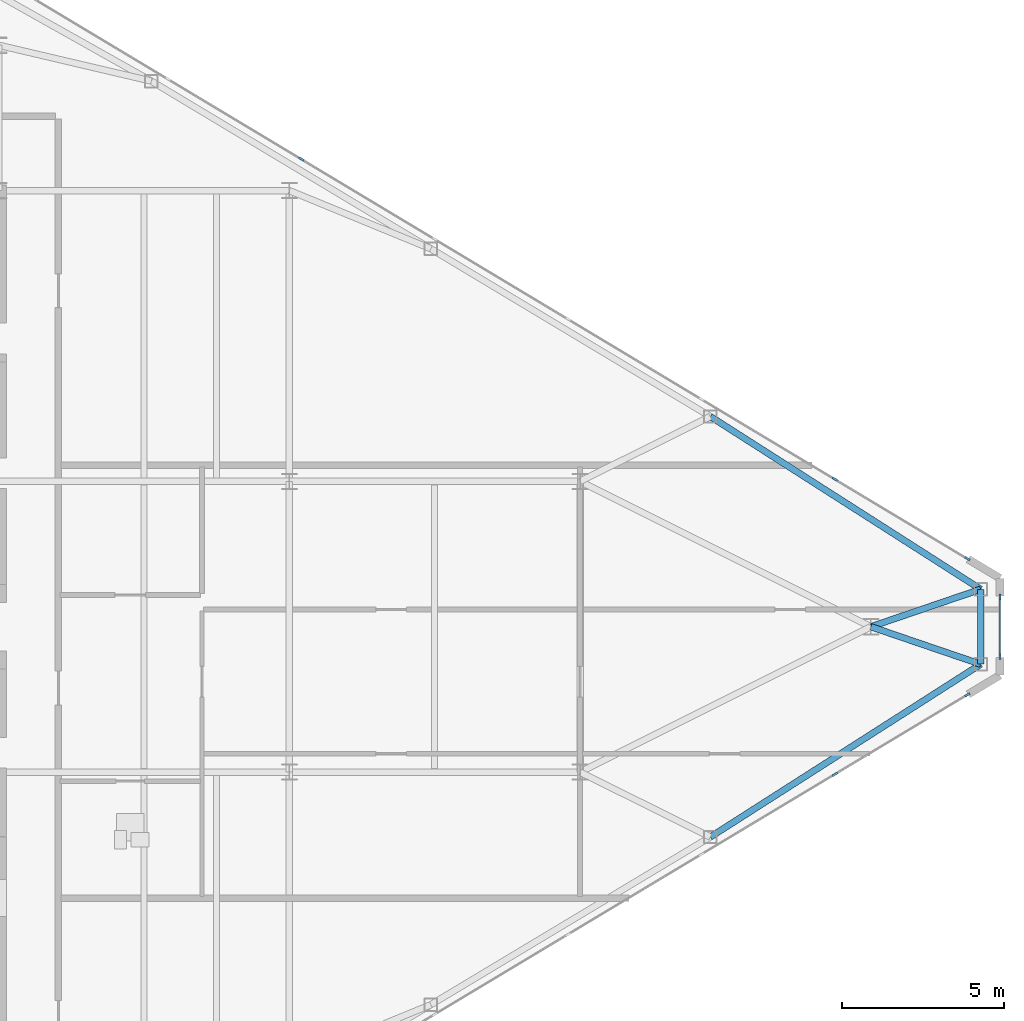
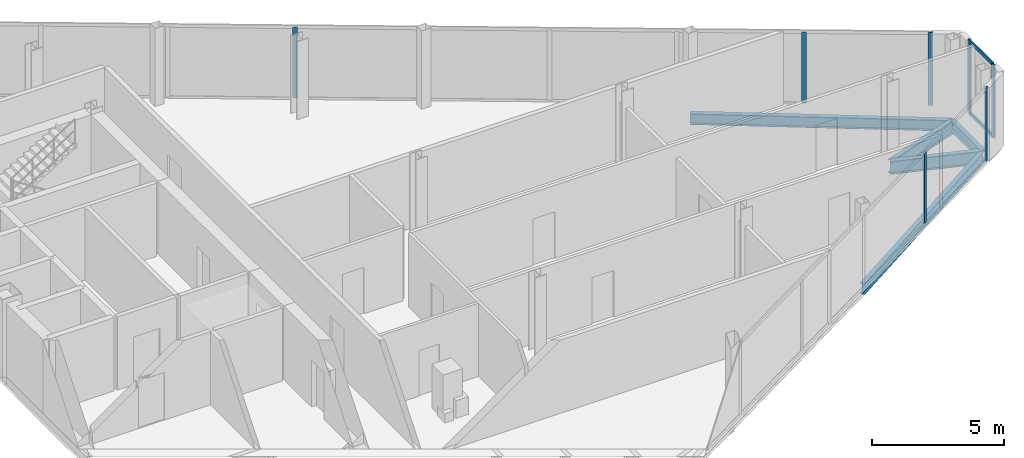
# One storey, part 17 of 25: 9 members, 5 beams, 3 elements without a shape of their own.
"""IFC4 building model written with IfcOpenShell, lengths in metres."""

from ifc_helpers import new_model, si_unit, direction, frame, origin, origin_2d, place, context, subcontext, project, spatial, rectangle, i_section, extrude, source, transform, mapped, material, layer, layer_set, material_profile, profile_set, type_object, type_shapes, element, aggregate, save


model = new_model("IFC4")

# Units and contexts
model_context = context("Model", 3, precision=1e-05, world=origin(), true_north=direction((0.0, 1.0)))
body_context = subcontext(model_context, "Body", "Model", "MODEL_VIEW")
ifc_project = project(units=[si_unit("LENGTHUNIT", "METRE"), si_unit("AREAUNIT", "SQUARE_METRE"), si_unit("VOLUMEUNIT", "CUBIC_METRE"), si_unit("PLANEANGLEUNIT", "RADIAN"), si_unit("MASSUNIT", "GRAM", prefix="KILO")], contexts=[model_context])

# Site, building, storey
site_placement = place(None, origin())
site = spatial("IfcSite", under=ifc_project, at=site_placement, CompositionType="ELEMENT")
building_placement = place(site_placement, origin())
building = spatial("IfcBuilding", under=site, at=building_placement, Name="Seokmaru Belvedere", CompositionType="ELEMENT")
storey_placement = place(building_placement, frame((0.0, 0.0, 213.89990234375)))
storey = spatial("IfcBuildingStorey", under=building, at=storey_placement, Name="L57", CompositionType="ELEMENT", Elevation=213.89990234375)

# Beams
ifc_material_1 = material(Name="Steel SM355 (355 MPa)", Category="steel")
ifc_material_profile_1 = material_profile(ifc_material_1, i_section(OverallWidth=0.199951171875, OverallDepth=0.5, WebThickness=0.010009765625, FlangeThickness=0.01611328125, at=origin_2d()), Name="H-500x200x10x16")
ifc_profile_set_1 = profile_set([ifc_material_profile_1], Name="Steel SM355 (355 MPa)")
beam_type_1 = type_object("IfcBeamType", Name="Perimeter Spandrel Beam H-500", PredefinedType="SPANDREL", material=ifc_profile_set_1)
shared_shape_1 = source(origin(), body_context, "Body", "SweptSolid", [
    extrude(i_section(OverallWidth=0.199951171875, OverallDepth=0.5, WebThickness=0.010009765625, FlangeThickness=0.01611328125, at=origin_2d()), origin(), (0.0, 0.0, 1.0), 9.932861328125),
])
for number, where, z_axis, x_axis, name in (
    (1, (58.530029296875, -6.5087890625, -0.469970703125), (0.842651960357, 0.538458609093, 0.0), (-0.538458609093, 0.842651960357, 0.0), "L57 E Faceted Flank Spandrel S-4"),
    (2, (58.530029296875, 6.5087890625, -0.469970703125), (0.842651960357, -0.538458609093, 0.0), (0.538458609093, 0.842651960357, 0.0), "L57 E Faceted Flank Spandrel N-4"),
):
    element("IfcBeam", number, at=place(storey_placement, frame(where, z_axis=z_axis, x_axis=x_axis)), inside=storey, type_object=beam_type_1, Name=name, PredefinedType="SPANDREL", context=body_context, shape_type="MappedRepresentation", body=[
        mapped(shared_shape_1, transform((0.0, 0.0, 0.0), scale=1.0)),
    ])
shared_shape_2 = source(origin(), body_context, "Body", "SweptSolid", [
    extrude(i_section(OverallWidth=0.199951171875, OverallDepth=0.5, WebThickness=0.010009765625, FlangeThickness=0.01611328125, at=origin_2d()), origin(), (0.0, 0.0, 1.0), 2.32080078125),
])
type_shapes(beam_type_1, [shared_shape_1, shared_shape_2])
beam_placement = place(storey_placement, frame((66.89990234375, -1.160400390625, -0.469970703125), z_axis=(0.0, 1.0, 0.0), x_axis=(-1.0, 0.0, 0.0)))
element("IfcBeam", 3, at=beam_placement, inside=storey, type_object=beam_type_1, Name="L57 E Faceted Apex Spandrel", PredefinedType="SPANDREL", context=body_context, shape_type="MappedRepresentation", body=[
    mapped(shared_shape_2, transform((0.0, 0.0, 0.0), scale=1.0)),
])
ifc_material_profile_2 = material_profile(ifc_material_1, i_section(OverallWidth=0.199951171875, OverallDepth=0.60009765625, WebThickness=0.010986328125, FlangeThickness=0.01708984375, at=origin_2d()), Name="H-600x200x11x17")
ifc_profile_set_2 = profile_set([ifc_material_profile_2], Name="Steel SM355 (355 MPa)")
beam_type_2 = type_object("IfcBeamType", Name="Primary Floor Girder H-600", PredefinedType="BEAM", material=ifc_profile_set_2)
shared_shape_3 = source(origin(), body_context, "Body", "SweptSolid", [
    extrude(i_section(OverallWidth=0.199951171875, OverallDepth=0.60009765625, WebThickness=0.010986328125, FlangeThickness=0.01708984375, at=origin_2d()), origin(), (0.0, 0.0, 1.0), 3.592529296875),
])
type_shapes(beam_type_2, [shared_shape_3])
for number, where, z_axis, x_axis, name in (
    (4, (66.89990234375, -1.160400390625, -0.52001953125), (-0.946395973048, 0.323008764893, 0.0), (-0.323008764893, -0.946395973048, 0.0), "L57 E Apex Radial Floor Girder 1"),
    (5, (66.89990234375, 1.160400390625, -0.52001953125), (-0.946395973048, -0.323008764893, 0.0), (0.323008764893, -0.946395973048, 0.0), "L57 E Apex Radial Floor Girder 2"),
):
    element("IfcBeam", number, at=place(storey_placement, frame(where, z_axis=z_axis, x_axis=x_axis)), inside=storey, type_object=beam_type_2, Name=name, PredefinedType="BEAM", context=body_context, shape_type="MappedRepresentation", body=[
        mapped(shared_shape_3, transform((0.0, 0.0, 0.0), scale=1.0)),
    ])

# Curtain wall, member
ifc_material_2 = material(Name="Bronze Triple Insulating Glass", Category="glass")
ifc_layer = layer(ifc_material_2, 0.179931640625)
ifc_layer_set = layer_set([ifc_layer], Name="Bronze Triple Insulating Glass")
curtain_wall_type = type_object("IfcCurtainWallType", Name="High-Rise Wind-Corner Curtain Wall System CW-5", PredefinedType="NOTDEFINED", material=ifc_layer_set)
curtain_wall_1_placement = place(storey_placement, origin())
curtain_wall_1 = element("IfcCurtainWall", 6, at=curtain_wall_1_placement, inside=storey, type_object=curtain_wall_type, Name="L57 Curtain Wall EF1", PredefinedType="NOTDEFINED")
ifc_material_3 = material(Name="Anodised Bronze Aluminium", Category="aluminium")
ifc_material_profile_3 = material_profile(ifc_material_3, rectangle(XDim=0.06494140625, YDim=0.179931640625, at=origin_2d()), Name="CW-M-65x180")
ifc_profile_set_3 = profile_set([ifc_material_profile_3], Name="Anodised Bronze Aluminium")
member_type_1 = type_object("IfcMemberType", Name="Bronze Unitised Mullion 65x180", PredefinedType="MULLION", material=ifc_profile_set_3)
shared_shape_4 = source(origin(), body_context, "Body", "SweptSolid", [
    extrude(rectangle(XDim=0.06494140625, YDim=0.179931640625, at=origin_2d()), origin(), (0.0, 0.0, 1.0), 3.25),
])
member_1_placement = place(storey_placement, frame((62.385498046875, -4.56884765625, 0.065185546875), z_axis=(0.0, 0.0, 1.0), x_axis=(-0.514494909364, 0.85749343335, 0.0)))
member_1 = element("IfcMember", 7, at=member_1_placement, type_object=member_type_1, Name="CW:L57:EF1 Mullion 8", PredefinedType="MULLION", context=body_context, shape_type="MappedRepresentation", body=[
    mapped(shared_shape_4, transform((0.0, 0.0, 0.0), scale=1.0)),
])

# Curtain wall, members
curtain_wall_2_placement = place(storey_placement, origin())
curtain_wall_2 = element("IfcCurtainWall", 8, at=curtain_wall_2_placement, inside=storey, type_object=curtain_wall_type, Name="L57 Curtain Wall EF3", PredefinedType="NOTDEFINED")
member_2_placement = place(storey_placement, frame((62.385498046875, 4.56884765625, 0.065185546875), z_axis=(0.0, 0.0, 1.0), x_axis=(-0.514494909364, -0.85749343335, 0.0)))
member_2 = element("IfcMember", 9, at=member_2_placement, type_object=member_type_1, Name="CW:L57:EF3 Mullion 2", PredefinedType="MULLION", context=body_context, shape_type="MappedRepresentation", body=[
    mapped(shared_shape_4, transform((0.0, 0.0, 0.0), scale=1.0)),
])
member_3_placement = place(storey_placement, frame((45.87158203125, 14.47705078125, 0.065185546875), z_axis=(0.0, 0.0, 1.0), x_axis=(-0.514494909364, -0.85749343335, 0.0)))
member_3 = element("IfcMember", 10, at=member_3_placement, type_object=member_type_1, Name="CW:L57:EF3 Mullion 6", PredefinedType="MULLION", context=body_context, shape_type="MappedRepresentation", body=[
    mapped(shared_shape_4, transform((0.0, 0.0, 0.0), scale=1.0)),
])

# Member
shared_shape_5 = source(origin(), body_context, "Body", "SweptSolid", [
    extrude(rectangle(XDim=0.06494140625, YDim=0.179931640625, at=origin_2d()), origin(), (0.0, 0.0, 1.0), 3.380126953125),
])
type_shapes(member_type_1, [shared_shape_4, shared_shape_5])
member_4_placement = place(storey_placement, frame((66.486083984375, -2.1083984375, 0.0), z_axis=(0.0, 0.0, 1.0), x_axis=(-0.514494909364, 0.85749343335, 0.0)))
member_4 = element("IfcMember", 11, at=member_4_placement, type_object=member_type_1, Name="CW:L57:EF1 Mullion 9", PredefinedType="MULLION", context=body_context, shape_type="MappedRepresentation", body=[
    mapped(shared_shape_5, transform((0.0, 0.0, 0.0), scale=1.0)),
])

aggregate(curtain_wall_1, [member_1, member_4])

# Curtain wall, members
curtain_wall_3_placement = place(storey_placement, origin())
curtain_wall_3 = element("IfcCurtainWall", 12, at=curtain_wall_3_placement, inside=storey, type_object=curtain_wall_type, Name="L57 Curtain Wall EF2", PredefinedType="NOTDEFINED")
member_5_placement = place(storey_placement, frame((67.5, -0.91748046875, 0.0), z_axis=(0.0, 0.0, 1.0), x_axis=(-1.0, 0.0, 0.0)))
member_5 = element("IfcMember", 13, at=member_5_placement, type_object=member_type_1, Name="CW:L57:EF2 Mullion 1", PredefinedType="MULLION", context=body_context, shape_type="MappedRepresentation", body=[
    mapped(shared_shape_5, transform((0.0, 0.0, 0.0), scale=1.0)),
])
member_6_placement = place(storey_placement, frame((67.5, 0.91748046875, 0.0), z_axis=(0.0, 0.0, 1.0), x_axis=(-1.0, 0.0, 0.0)))
member_6 = element("IfcMember", 14, at=member_6_placement, type_object=member_type_1, Name="CW:L57:EF2 Mullion 2", PredefinedType="MULLION", context=body_context, shape_type="MappedRepresentation", body=[
    mapped(shared_shape_5, transform((0.0, 0.0, 0.0), scale=1.0)),
])

# Member
member_7_placement = place(storey_placement, frame((66.486083984375, 2.1083984375, 0.0), z_axis=(0.0, 0.0, 1.0), x_axis=(-0.514494909364, -0.85749343335, 0.0)))
member_7 = element("IfcMember", 15, at=member_7_placement, type_object=member_type_1, Name="CW:L57:EF3 Mullion 1", PredefinedType="MULLION", context=body_context, shape_type="MappedRepresentation", body=[
    mapped(shared_shape_5, transform((0.0, 0.0, 0.0), scale=1.0)),
])

aggregate(curtain_wall_2, [member_7, member_2, member_3])

ifc_material_profile_4 = material_profile(ifc_material_3, rectangle(XDim=0.06494140625, YDim=0.14990234375, at=origin_2d()), Name="CW-T-65x150")
ifc_profile_set_4 = profile_set([ifc_material_profile_4], Name="Anodised Bronze Aluminium")
member_type_2 = type_object("IfcMemberType", Name="Bronze Unitised Transom 65x150", PredefinedType="USERDEFINED", material=ifc_profile_set_4)
shared_shape_6 = source(origin(), body_context, "Body", "SweptSolid", [
    extrude(rectangle(XDim=0.06494140625, YDim=0.14990234375, at=origin_2d()), origin(), (0.0, 0.0, 1.0), 1.77001953125),
])
type_shapes(member_type_2, [shared_shape_6])
member_8_placement = place(storey_placement, frame((67.5, -0.885009765625, 0.03271484375), z_axis=(0.0, 1.0, 0.0), x_axis=(-1.0, 0.0, 0.0)))
member_8 = element("IfcMember", 16, at=member_8_placement, type_object=member_type_2, Name="CW:L57:EF2 Continuous Transom 1", ObjectType="TRANSOM", PredefinedType="USERDEFINED", context=body_context, shape_type="MappedRepresentation", body=[
    mapped(shared_shape_6, transform((0.0, 0.0, 0.0), scale=1.0)),
])

member_9_placement = place(storey_placement, frame((67.5, -0.885009765625, 3.34765625), z_axis=(0.0, 1.0, 0.0), x_axis=(-1.0, 0.0, 0.0)))
member_9 = element("IfcMember", 17, at=member_9_placement, type_object=member_type_2, Name="CW:L57:EF2 Continuous Transom 2", ObjectType="TRANSOM", PredefinedType="USERDEFINED", context=body_context, shape_type="MappedRepresentation", body=[
    mapped(shared_shape_6, transform((0.0, 0.0, 0.0), scale=1.0)),
])

aggregate(curtain_wall_3, [member_5, member_6, member_8, member_9])

save(model, "model.ifc")
